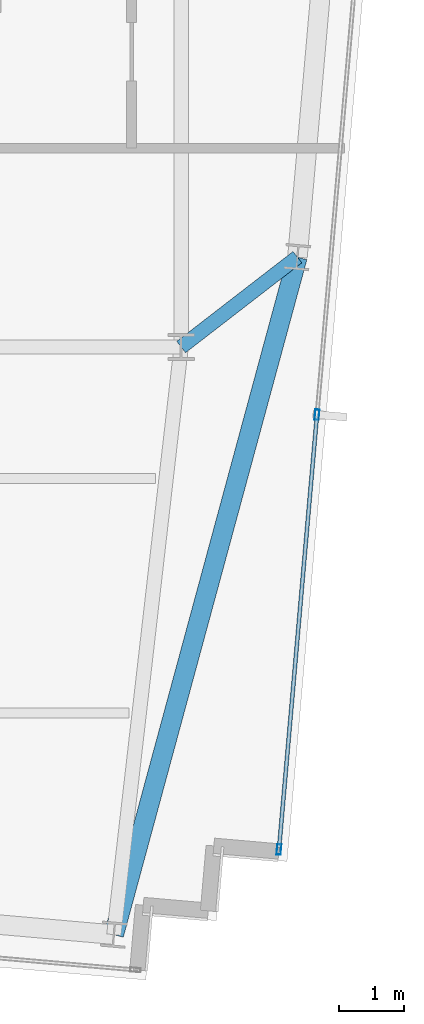
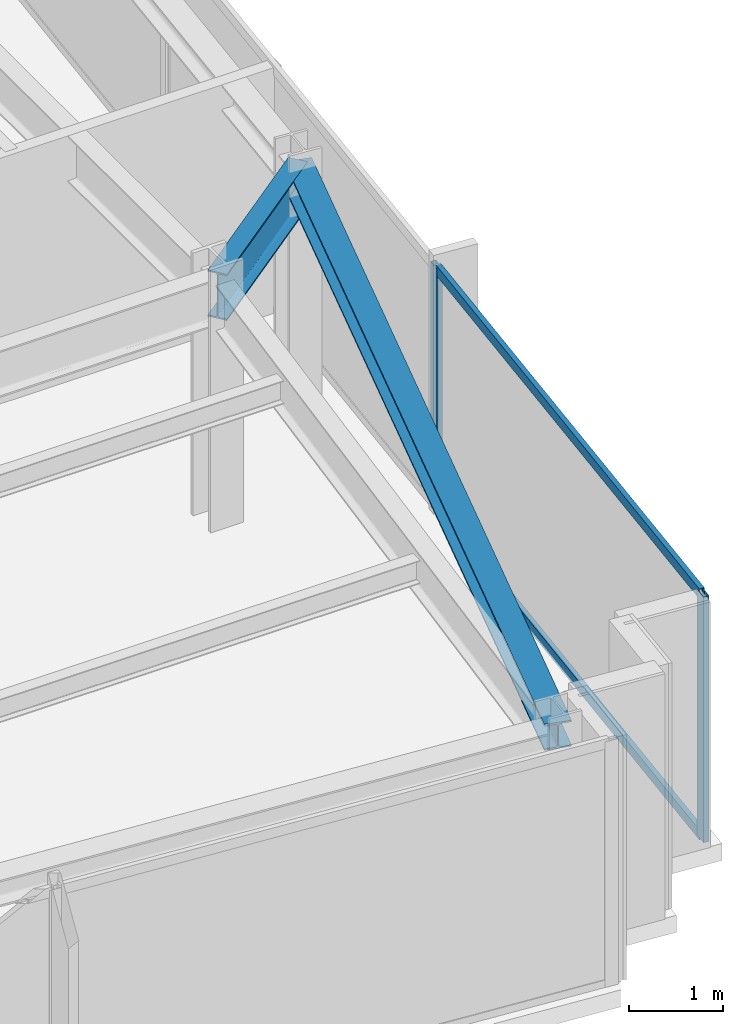
# One storey, part 16 of 32: 4 members, 2 beams, 1 element without a shape of its own.
"""IFC4 building model written with IfcOpenShell, lengths in metres."""

from ifc_helpers import new_model, si_unit, direction, frame, origin, origin_2d, place, context, subcontext, project, spatial, hollow_rectangle, i_section, extrude, material, material_profile, profile_set, type_object, element, aggregate, save


model = new_model("IFC4")

# Units and contexts
model_context = context("Model", 3, precision=1e-05, world=origin(), true_north=direction((0.0, 1.0)))
body_context = subcontext(model_context, "Body", "Model", "MODEL_VIEW")
ifc_project = project(units=[si_unit("LENGTHUNIT", "METRE"), si_unit("AREAUNIT", "SQUARE_METRE"), si_unit("VOLUMEUNIT", "CUBIC_METRE"), si_unit("PLANEANGLEUNIT", "RADIAN"), si_unit("MASSUNIT", "GRAM", prefix="KILO")], contexts=[model_context])

# Site, building, storey
site_placement = place(None, origin())
site = spatial("IfcSite", under=ifc_project, at=site_placement, CompositionType="ELEMENT")
building_placement = place(site_placement, origin())
building = spatial("IfcBuilding", under=site, at=building_placement, Name="Yelkora Congress Tower", CompositionType="ELEMENT")
storey_placement = place(building_placement, frame((0.0, 0.0, 265.89990234375)))
storey = spatial("IfcBuildingStorey", under=building, at=storey_placement, Name="L74", CompositionType="ELEMENT", Elevation=265.89990234375)

# Beams
ifc_material_1 = material(Name="Steel S355J2", Category="steel")
ifc_material_profile_1 = material_profile(ifc_material_1, i_section(OverallWidth=0.219970703125, OverallDepth=0.60009765625, WebThickness=0.011962890625, FlangeThickness=0.01904296875, FilletRadius=0.02392578125, at=origin_2d()), Name="IPE 600")
ifc_profile_set_1 = profile_set([ifc_material_profile_1], Name="Steel S355J2")
beam_type_1 = type_object("IfcBeamType", Name="BM-GIRD-IPE600", PredefinedType="BEAM", material=ifc_profile_set_1)
beam_1_placement = place(storey_placement, frame((55.543701171875, 26.57861328125, 2.880126953125), z_axis=(-0.791208781933, -0.611546125318, 0.0), x_axis=(0.611546125318, -0.791208781933, 0.0)))
element("IfcBeam", 1, at=beam_1_placement, inside=storey, type_object=beam_type_1, Name="L74 Primary Frame Girder E01", PredefinedType="BEAM", context=body_context, shape_type="SweptSolid", body=[
    extrude(i_section(OverallWidth=0.219970703125, OverallDepth=0.60009765625, WebThickness=0.011962890625, FlangeThickness=0.01904296875, FilletRadius=0.02392578125, at=origin_2d()), origin(), (0.0, 0.0, 1.0), 2.25439453125),
])
ifc_material_profile_2 = material_profile(ifc_material_1, i_section(OverallWidth=0.300048828125, OverallDepth=0.340087890625, WebThickness=0.011962890625, FlangeThickness=0.021484375, FilletRadius=0.027099609375, at=origin_2d()), Name="HEB 340")
ifc_profile_set_2 = profile_set([ifc_material_profile_2], Name="Steel S355J2")
beam_type_2 = type_object("IfcBeamType", Name="BM-SPAN-HEB340", PredefinedType="SPANDREL", material=ifc_profile_set_2)
beam_2_placement = place(storey_placement, frame((52.727294921875, 16.1845703125, 3.010009765625), z_axis=(0.261532523212, 0.965194663942, 0.0), x_axis=(-0.965194663942, 0.261532523212, 0.0)))
element("IfcBeam", 2, at=beam_2_placement, inside=storey, type_object=beam_type_2, Name="L74 Perimeter Beam 7", PredefinedType="SPANDREL", context=body_context, shape_type="SweptSolid", body=[
    extrude(i_section(OverallWidth=0.300048828125, OverallDepth=0.340087890625, WebThickness=0.011962890625, FlangeThickness=0.021484375, FilletRadius=0.027099609375, at=origin_2d()), origin(), (0.0, 0.0, 1.0), 10.768798828125),
])

# Curtain wall, members
ifc_material_2 = material(Name="Anodised aluminium and insulated glass", Category="aluminium")
curtain_wall_type = type_object("IfcCurtainWallType", Name="CW-SYS-B5", PredefinedType="NOTDEFINED", material=ifc_material_2)
curtain_wall_placement = place(storey_placement, origin())
curtain_wall = element("IfcCurtainWall", 3, at=curtain_wall_placement, inside=storey, type_object=curtain_wall_type, Name="L74 Unitised Curtain Wall 15", PredefinedType="NOTDEFINED")
ifc_material_3 = material(Name="Anodised aluminium 6063-T6", Category="aluminium")
ifc_material_profile_3 = material_profile(ifc_material_3, hollow_rectangle(XDim=0.06494140625, YDim=0.159912109375, WallThickness=0.00390625, at=origin_2d()), Name="ALU 65x160x4")
ifc_profile_set_3 = profile_set([ifc_material_profile_3], Name="Anodised aluminium 6063-T6")
member_type_1 = type_object("IfcMemberType", Name="MEM-ML-B5", PredefinedType="MULLION", material=ifc_profile_set_3)
member_1_placement = place(storey_placement, frame((55.844482421875, 24.1630859375, 0.0), z_axis=(0.0, 0.0, 1.0), x_axis=(0.996194463398, -0.087158425264, 0.0)))
member_1 = element("IfcMember", 4, at=member_1_placement, type_object=member_type_1, Name="CW-B5 mullion 4", PredefinedType="MULLION", context=body_context, shape_type="SweptSolid", body=[
    extrude(hollow_rectangle(XDim=0.06494140625, YDim=0.159912109375, WallThickness=0.00390625, at=origin_2d()), origin(), (0.0, 0.0, 1.0), 3.18017578125),
])
member_2_placement = place(storey_placement, frame((55.2607421875, 17.4912109375, 0.0), z_axis=(0.0, 0.0, 1.0), x_axis=(0.996194463398, -0.087158425264, 0.0)))
member_2 = element("IfcMember", 5, at=member_2_placement, type_object=member_type_1, Name="CW-B5 mullion 5", PredefinedType="MULLION", context=body_context, shape_type="SweptSolid", body=[
    extrude(hollow_rectangle(XDim=0.06494140625, YDim=0.159912109375, WallThickness=0.00390625, at=origin_2d()), origin(), (0.0, 0.0, 1.0), 3.18017578125),
])
ifc_material_profile_4 = material_profile(ifc_material_3, hollow_rectangle(XDim=0.06005859375, YDim=0.1298828125, WallThickness=0.00390625, at=origin_2d()), Name="ALU 60x130x4")
ifc_profile_set_4 = profile_set([ifc_material_profile_4], Name="Anodised aluminium 6063-T6")
member_type_2 = type_object("IfcMemberType", Name="MEM-TR-B5", PredefinedType="USERDEFINED", material=ifc_profile_set_4)
member_3_placement = place(storey_placement, frame((55.841552734375, 24.130859375, 0.030029296875), z_axis=(-0.087163297365, -0.996194037119, 0.0), x_axis=(0.996194037119, -0.087163297365, 0.0)))
member_3 = element("IfcMember", 6, at=member_3_placement, type_object=member_type_2, Name="CW-B5 transom 4.1", ObjectType="TRANSOM", PredefinedType="USERDEFINED", context=body_context, shape_type="SweptSolid", body=[
    extrude(hollow_rectangle(XDim=0.06005859375, YDim=0.1298828125, WallThickness=0.00390625, at=origin_2d()), origin(), (0.0, 0.0, 1.0), 6.632568359375),
])
member_4_placement = place(storey_placement, frame((55.841552734375, 24.130859375, 3.150146484375), z_axis=(-0.087163297365, -0.996194037119, 0.0), x_axis=(0.996194037119, -0.087163297365, 0.0)))
member_4 = element("IfcMember", 7, at=member_4_placement, type_object=member_type_2, Name="CW-B5 transom 4.2", ObjectType="TRANSOM", PredefinedType="USERDEFINED", context=body_context, shape_type="SweptSolid", body=[
    extrude(hollow_rectangle(XDim=0.06005859375, YDim=0.1298828125, WallThickness=0.00390625, at=origin_2d()), origin(), (0.0, 0.0, 1.0), 6.632568359375),
])
aggregate(curtain_wall, [member_1, member_2, member_3, member_4])

save(model, "model.ifc")
